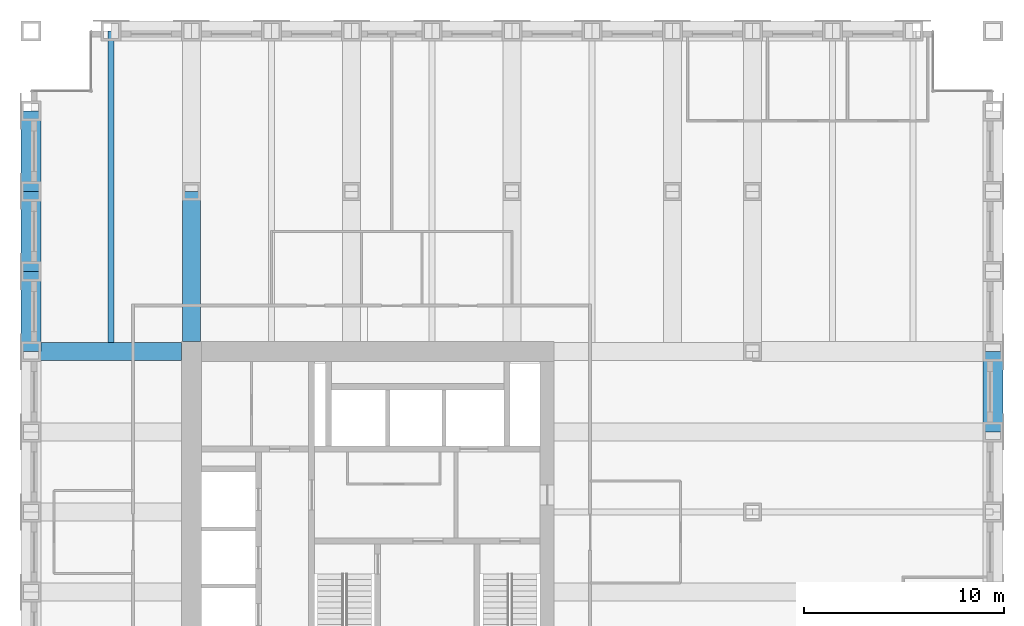
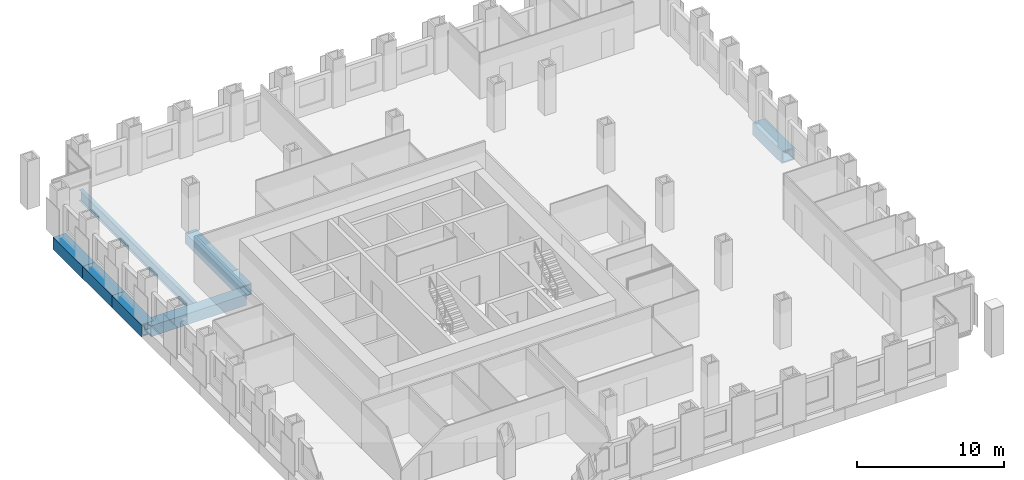
# One storey, part 5 of 16: 7 beams.
"""IFC4 building model written with IfcOpenShell, lengths in metres."""

from ifc_helpers import new_model, si_unit, direction, frame, origin, origin_2d, place, context, subcontext, project, spatial, hollow_rectangle, i_section, extrude, material, material_profile, profile_set, type_object, element, save


model = new_model("IFC4")

# Units and contexts
model_context = context("Model", 3, precision=1e-05, world=origin(), true_north=direction((0.0, 1.0)))
body_context = subcontext(model_context, "Body", "Model", "MODEL_VIEW")
ifc_project = project(units=[si_unit("LENGTHUNIT", "METRE"), si_unit("AREAUNIT", "SQUARE_METRE"), si_unit("VOLUMEUNIT", "CUBIC_METRE"), si_unit("PLANEANGLEUNIT", "RADIAN"), si_unit("MASSUNIT", "GRAM", prefix="KILO")], contexts=[model_context])

# Site, building, storey
site_placement = place(None, origin())
site = spatial("IfcSite", under=ifc_project, at=site_placement, CompositionType="ELEMENT")
building_placement = place(site_placement, origin())
building = spatial("IfcBuilding", under=site, at=building_placement, Name="Rimbunsela Tower", CompositionType="ELEMENT")
storey_placement = place(building_placement, frame((0.0, 0.0, 133.39990234375)))
storey = spatial("IfcBuildingStorey", under=building, at=storey_placement, Name="L32", CompositionType="ELEMENT", Elevation=133.39990234375)

# Beams
ifc_material_1 = material(Name="Steel BJ 55 (fy 410 MPa)", Category="steel")
ifc_material_profile_1 = material_profile(ifc_material_1, hollow_rectangle(XDim=1.0, YDim=1.0, WallThickness=0.10009765625, at=origin_2d()), Name="BOX 1000x1000x100")
ifc_profile_set_1 = profile_set([ifc_material_profile_1], Name="Steel BJ 55 (fy 410 MPa)")
beam_type_1 = type_object("IfcBeamType", Name="Beam BOX 1000x1000x100", PredefinedType="BEAM", material=ifc_profile_set_1)
for number, where, z_axis, x_axis, name in (
    (1, (10.0, 36.0, -0.64990234375), (0.0, 1.0, 0.0), (-1.0, 0.0, 0.0), "Beam B3 L32"),
    (2, (10.0, 40.0, -0.64990234375), (0.0, 1.0, 0.0), (-1.0, 0.0, 0.0), "Beam B3 L32"),
    (3, (10.0, 44.0, -0.64990234375), (0.0, 1.0, 0.0), (-1.0, 0.0, 0.0), "Beam B3 L32"),
    (4, (58.0, 32.0, -0.64990234375), (0.0, 1.0, 0.0), (-1.0, 0.0, 0.0), "Beam B3 L32"),
):
    element("IfcBeam", number, at=place(storey_placement, frame(where, z_axis=z_axis, x_axis=x_axis)), inside=storey, type_object=beam_type_1, Name=name, PredefinedType="BEAM", context=body_context, shape_type="SweptSolid", body=[
        extrude(hollow_rectangle(XDim=1.0, YDim=1.0, WallThickness=0.10009765625, at=origin_2d()), origin(), (0.0, 0.0, 1.0), 4.0),
    ])
ifc_material_2 = material(Name="Steel BJ 55 (fy 410 MPa)", Category="steel")
ifc_material_profile_2 = material_profile(ifc_material_2, hollow_rectangle(XDim=0.89990234375, YDim=0.89990234375, WallThickness=0.06005859375, at=origin_2d()), Name="BOX 900x900x60")
ifc_profile_set_2 = profile_set([ifc_material_profile_2], Name="Steel BJ 55 (fy 410 MPa)")
beam_type_2 = type_object("IfcBeamType", Name="Beam BOX 900x900x60", PredefinedType="BEAM", material=ifc_profile_set_2)
for number, where, z_axis, x_axis, name in (
    (5, (10.0, 36.0, -0.599853515625), (1.0, 0.0, 0.0), (0.0, 1.0, 0.0), "Beam B1 L32"),
    (6, (18.0, 36.5, -0.599853515625), (0.0, 1.0, 0.0), (-1.0, 0.0, 0.0), "Beam B1 L32"),
):
    element("IfcBeam", number, at=place(storey_placement, frame(where, z_axis=z_axis, x_axis=x_axis)), inside=storey, type_object=beam_type_2, Name=name, PredefinedType="BEAM", context=body_context, shape_type="SweptSolid", body=[
        extrude(hollow_rectangle(XDim=0.89990234375, YDim=0.89990234375, WallThickness=0.06005859375, at=origin_2d()), origin(), (0.0, 0.0, 1.0), 7.5),
    ])
ifc_material_3 = material(Name="Steel BJ 55 (fy 410 MPa)", Category="steel")
ifc_material_profile_3 = material_profile(ifc_material_3, i_section(OverallWidth=0.300048828125, OverallDepth=0.89990234375, WebThickness=0.01611328125, FlangeThickness=0.028076171875, FilletRadius=0.028076171875, at=origin_2d()), Name="H 900x300x16x28")
ifc_profile_set_3 = profile_set([ifc_material_profile_3], Name="Steel BJ 55 (fy 410 MPa)")
beam_type_3 = type_object("IfcBeamType", Name="Beam H 900x300x16x28", PredefinedType="BEAM", material=ifc_profile_set_3)
beam_placement = place(storey_placement, frame((14.0, 36.449951171875, -0.599853515625), z_axis=(0.0, 1.0, 0.0), x_axis=(-1.0, 0.0, 0.0)))
element("IfcBeam", 7, at=beam_placement, inside=storey, type_object=beam_type_3, Name="Beam B2 L32", PredefinedType="BEAM", context=body_context, shape_type="SweptSolid", body=[
    extrude(i_section(OverallWidth=0.300048828125, OverallDepth=0.89990234375, WebThickness=0.01611328125, FlangeThickness=0.028076171875, FilletRadius=0.028076171875, at=origin_2d()), origin(), (0.0, 0.0, 1.0), 15.550048828125),
])

save(model, "model.ifc")
